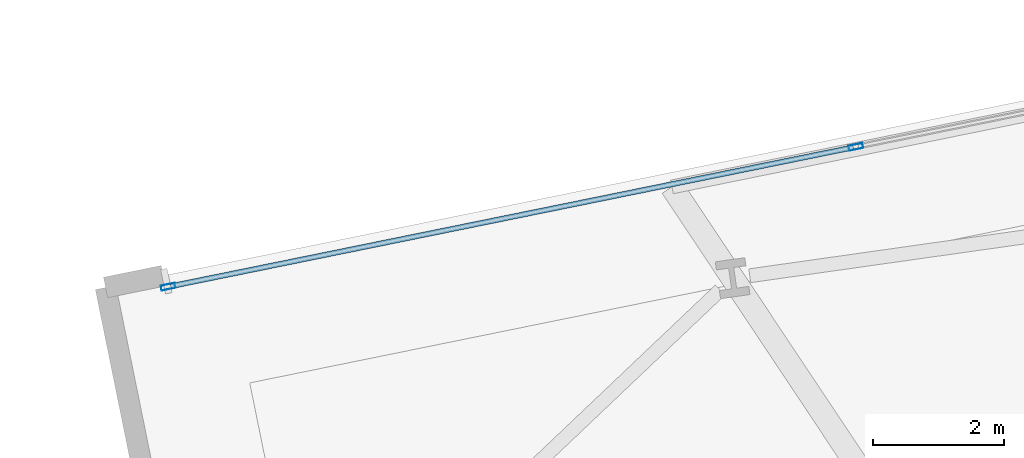
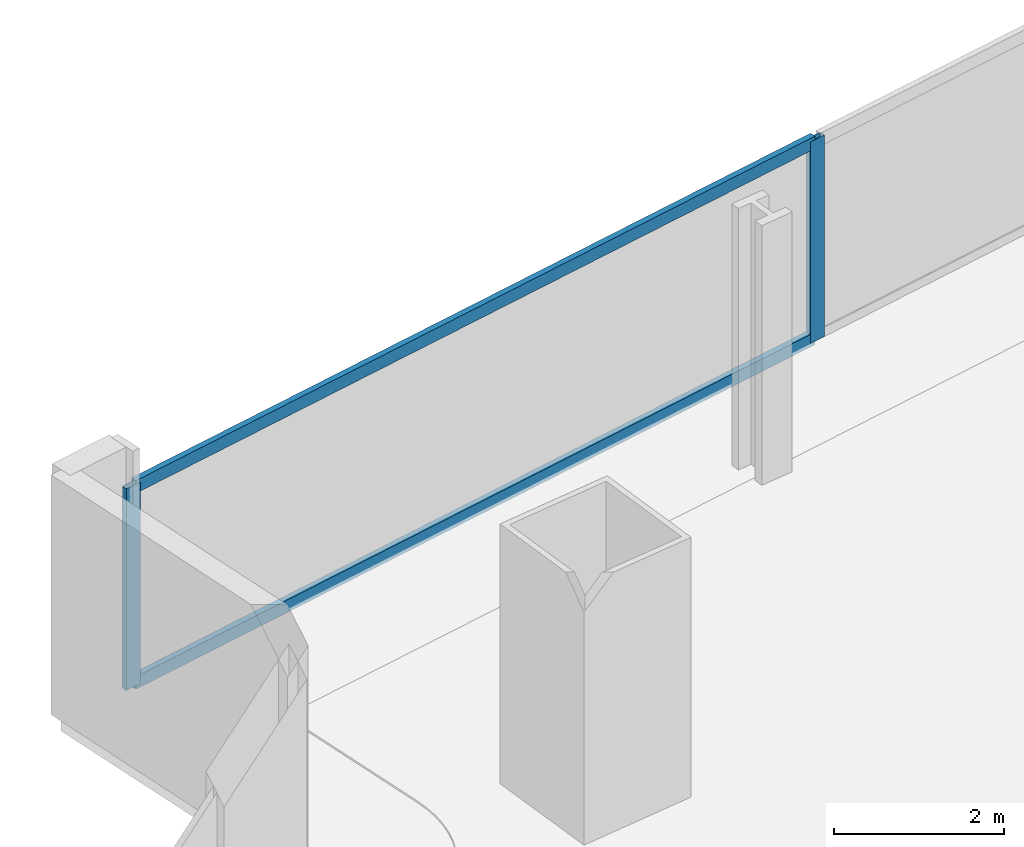
# One storey, part 17 of 33: 4 members, 1 element without a shape of its own.
"""IFC4 building model written with IfcOpenShell, lengths in metres."""

from ifc_helpers import new_model, si_unit, direction, frame, origin, origin_2d, place, context, subcontext, project, spatial, hollow_rectangle, extrude, material, material_profile, profile_set, type_object, element, aggregate, save


model = new_model("IFC4")

# Units and contexts
model_context = context("Model", 3, precision=1e-05, world=origin(), true_north=direction((0.0, 1.0)))
body_context = subcontext(model_context, "Body", "Model", "MODEL_VIEW")
ifc_project = project(units=[si_unit("LENGTHUNIT", "METRE"), si_unit("AREAUNIT", "SQUARE_METRE"), si_unit("VOLUMEUNIT", "CUBIC_METRE"), si_unit("PLANEANGLEUNIT", "RADIAN"), si_unit("MASSUNIT", "GRAM", prefix="KILO")], contexts=[model_context])

# Site, building, storey
site_placement = place(None, origin())
site = spatial("IfcSite", under=ifc_project, at=site_placement, CompositionType="ELEMENT")
building_placement = place(site_placement, origin())
building = spatial("IfcBuilding", under=site, at=building_placement, Name="Haldenkirk Collegiate Tower", CompositionType="ELEMENT")
storey_placement = place(building_placement, frame((0.0, 0.0, 66.449951171875)))
storey = spatial("IfcBuildingStorey", under=building, at=storey_placement, Name="L15", CompositionType="ELEMENT", Elevation=66.449951171875)

# Curtain wall, members
ifc_material = material(Name="Anodised architectural bronze aluminium", Category="aluminium")
curtain_wall_type = type_object("IfcCurtainWallType", Name="CW-SYS1-CONVEX-LOW", PredefinedType="USERDEFINED", material=ifc_material)
curtain_wall_placement = place(storey_placement, origin())
curtain_wall = element("IfcCurtainWall", 1, at=curtain_wall_placement, inside=storey, type_object=curtain_wall_type, Name="L15 Lower tower convex bronze-framed unitised curtain wall", ObjectType="UNITISED CURTAIN WALL", PredefinedType="USERDEFINED")
ifc_material_profile_1 = material_profile(ifc_material, hollow_rectangle(XDim=0.080078125, YDim=0.219970703125, WallThickness=0.0048828125, at=origin_2d()), Name="CW-MUL-1A")
ifc_profile_set_1 = profile_set([ifc_material_profile_1], Name="Anodised architectural bronze aluminium")
member_type_1 = type_object("IfcMemberType", Name="CW-MUL-1A", PredefinedType="MULLION", material=ifc_profile_set_1)
member_1_placement = place(storey_placement, frame((9.843994140625, 46.670166015625, 0.0), z_axis=(0.0, 0.0, 1.0), x_axis=(-0.199368665738, 0.979924555832, 0.0)))
member_1 = element("IfcMember", 2, at=member_1_placement, type_object=member_type_1, Name="CW-1A mullion 1", PredefinedType="MULLION", context=body_context, shape_type="SweptSolid", body=[
    extrude(hollow_rectangle(XDim=0.080078125, YDim=0.219970703125, WallThickness=0.0048828125, at=origin_2d()), origin(), (0.0, 0.0, 1.0), 2.89111328125),
])
member_2_placement = place(storey_placement, frame((20.36328125, 48.810546875, 0.0), z_axis=(0.0, 0.0, 1.0), x_axis=(-0.199368665738, 0.979924555832, 0.0)))
member_2 = element("IfcMember", 3, at=member_2_placement, type_object=member_type_1, Name="CW-1A mullion 2", PredefinedType="MULLION", context=body_context, shape_type="SweptSolid", body=[
    extrude(hollow_rectangle(XDim=0.080078125, YDim=0.219970703125, WallThickness=0.0048828125, at=origin_2d()), origin(), (0.0, 0.0, 1.0), 2.89111328125),
])
ifc_material_profile_2 = material_profile(ifc_material, hollow_rectangle(XDim=0.080078125, YDim=0.179931640625, WallThickness=0.0048828125, at=origin_2d()), Name="CW-TRN-1A")
ifc_profile_set_2 = profile_set([ifc_material_profile_2], Name="Anodised architectural bronze aluminium")
member_type_2 = type_object("IfcMemberType", Name="CW-TRN-1A", PredefinedType="USERDEFINED", material=ifc_profile_set_2)
member_3_placement = place(storey_placement, frame((9.883056640625, 46.67822265625, 0.0400390625), z_axis=(0.979924903774, 0.199366955544, 0.0), x_axis=(-0.199366955544, 0.979924903774, 0.0)))
member_3 = element("IfcMember", 4, at=member_3_placement, type_object=member_type_2, Name="CW-1A transom 1.1", ObjectType="TRANSOM", PredefinedType="USERDEFINED", context=body_context, shape_type="SweptSolid", body=[
    extrude(hollow_rectangle(XDim=0.080078125, YDim=0.179931640625, WallThickness=0.0048828125, at=origin_2d()), origin(), (0.0, 0.0, 1.0), 10.655029296875),
])
member_4_placement = place(storey_placement, frame((9.883056640625, 46.67822265625, 2.85107421875), z_axis=(0.979924903774, 0.199366955544, 0.0), x_axis=(-0.199366955544, 0.979924903774, 0.0)))
member_4 = element("IfcMember", 5, at=member_4_placement, type_object=member_type_2, Name="CW-1A transom 1.2", ObjectType="TRANSOM", PredefinedType="USERDEFINED", context=body_context, shape_type="SweptSolid", body=[
    extrude(hollow_rectangle(XDim=0.080078125, YDim=0.179931640625, WallThickness=0.0048828125, at=origin_2d()), origin(), (0.0, 0.0, 1.0), 10.655029296875),
])
aggregate(curtain_wall, [member_1, member_2, member_3, member_4])

save(model, "model.ifc")
